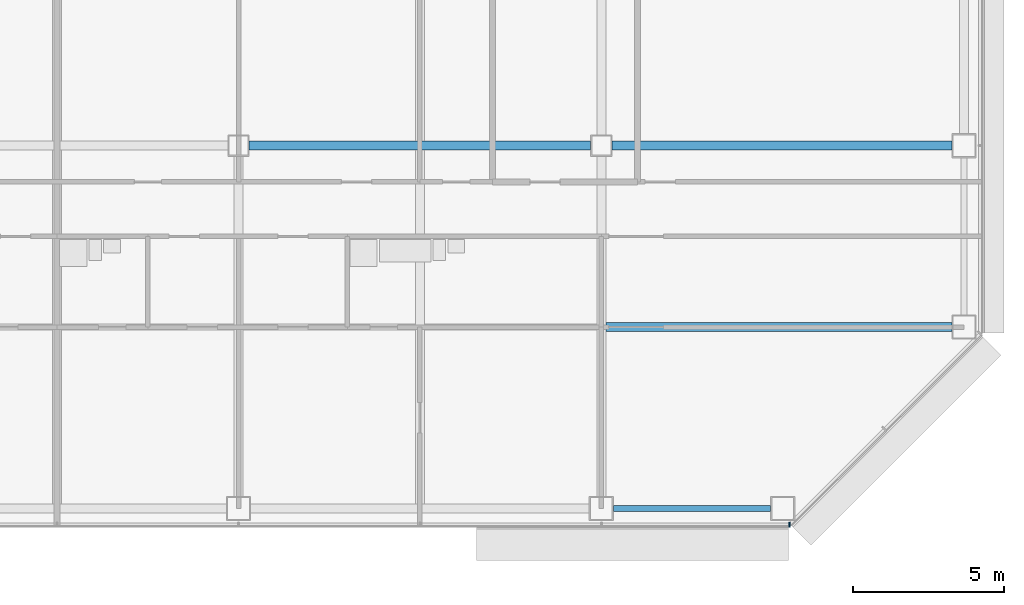
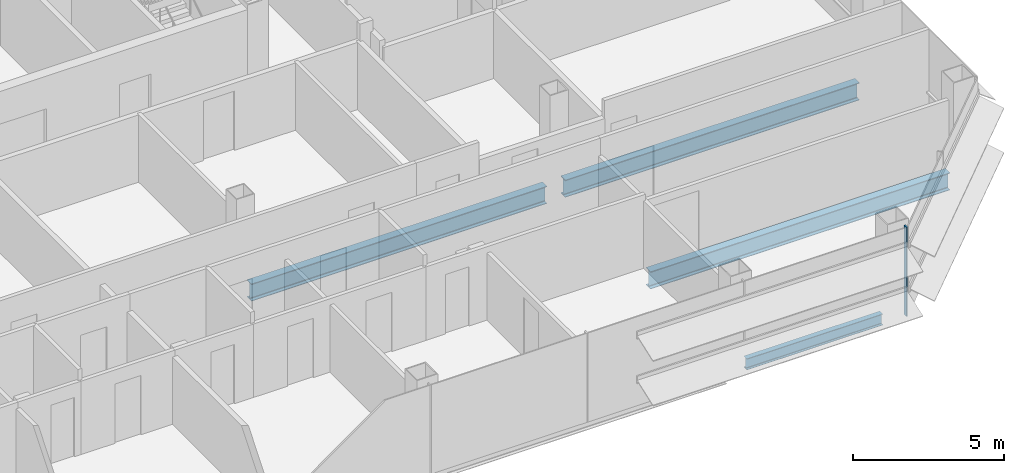
# One storey, part 9 of 25: 4 beams, 1 member, 1 element without a shape of its own.
"""IFC4 building model written with IfcOpenShell, lengths in metres."""

from ifc_helpers import new_model, si_unit, direction, frame, origin, origin_2d, place, context, subcontext, project, spatial, rectangle, i_section, extrude, material, material_profile, profile_set, type_object, element, aggregate, save


model = new_model("IFC4")

# Units and contexts
model_context = context("Model", 3, precision=1e-05, world=origin(), true_north=direction((0.0, 1.0)))
body_context = subcontext(model_context, "Body", "Model", "MODEL_VIEW")
ifc_project = project(units=[si_unit("LENGTHUNIT", "METRE"), si_unit("AREAUNIT", "SQUARE_METRE"), si_unit("VOLUMEUNIT", "CUBIC_METRE"), si_unit("PLANEANGLEUNIT", "RADIAN"), si_unit("MASSUNIT", "GRAM", prefix="KILO")], contexts=[model_context])

# Site, building, storey
site_placement = place(None, origin())
site = spatial("IfcSite", under=ifc_project, at=site_placement, CompositionType="ELEMENT")
building_placement = place(site_placement, origin())
building = spatial("IfcBuilding", under=site, at=building_placement, Name="Sorahane Residences", CompositionType="ELEMENT")
storey_placement = place(building_placement, frame((0.0, 0.0, 107.0)))
storey = spatial("IfcBuildingStorey", under=building, at=storey_placement, Name="L23", CompositionType="ELEMENT", Elevation=107.0)

# Curtain wall, member
ifc_material_1 = material(Name="Dark low-e glass and black anodised aluminium", Category="aluminium")
curtain_wall_type = type_object("IfcCurtainWallType", Name="Curtain wall CW-1 Typical unitised wall", PredefinedType="NOTDEFINED", material=ifc_material_1)
curtain_wall_placement = place(storey_placement, origin())
curtain_wall = element("IfcCurtainWall", 1, at=curtain_wall_placement, inside=storey, type_object=curtain_wall_type, Name="CW-1 curtain wall L23 S1", PredefinedType="NOTDEFINED")
ifc_material_2 = material(Name="Black anodised aluminium", Category="aluminium")
ifc_material_profile_1 = material_profile(ifc_material_2, rectangle(XDim=0.159912109375, YDim=0.050048828125, at=origin_2d()), Name="Curtain wall mullion CW-1 black anodised aluminium 50x160")
ifc_profile_set_1 = profile_set([ifc_material_profile_1], Name="Black anodised aluminium")
member_type = type_object("IfcMemberType", Name="Curtain wall mullion CW-1 black anodised aluminium 50x160", PredefinedType="MULLION", material=ifc_profile_set_1)
member_placement = place(storey_placement, frame((54.2236328125, -0.5400390625, -0.179931640625), z_axis=(0.0, 0.0, 1.0), x_axis=(0.0, -1.0, 0.0)))
member = element("IfcMember", 2, at=member_placement, type_object=member_type, Name="CW-1 mullion L23 S1.10", PredefinedType="MULLION", context=body_context, shape_type="SweptSolid", body=[
    extrude(rectangle(XDim=0.159912109375, YDim=0.050048828125, at=origin_2d()), origin(), (0.0, 0.0, 1.0), 3.599853515625),
])
aggregate(curtain_wall, [member])

# Beams
ifc_material_3 = material(Name="Steel Q355B", Category="steel")
ifc_material_profile_2 = material_profile(ifc_material_3, i_section(OverallWidth=0.199951171875, OverallDepth=0.449951171875, WebThickness=0.009033203125, FlangeThickness=0.013916015625, FilletRadius=0.02001953125, at=origin_2d()), Name="HN 450x200x9x14")
ifc_profile_set_2 = profile_set([ifc_material_profile_2], Name="Steel Q355B")
beam_type_1 = type_object("IfcBeamType", Name="Steel floor beam HN 450x200x9x14 Q355B", PredefinedType="BEAM", material=ifc_profile_set_2)
beam_1_placement = place(storey_placement, frame((48.39990234375, 0.0, -0.405029296875), z_axis=(1.0, 0.0, 0.0), x_axis=(0.0, 1.0, 0.0)))
element("IfcBeam", 3, at=beam_1_placement, inside=storey, type_object=beam_type_1, Name="Beam L23 004", PredefinedType="BEAM", context=body_context, shape_type="SweptSolid", body=[
    extrude(i_section(OverallWidth=0.199951171875, OverallDepth=0.449951171875, WebThickness=0.009033203125, FlangeThickness=0.013916015625, FilletRadius=0.02001953125, at=origin_2d()), origin(), (0.0, 0.0, 1.0), 5.2001953125),
])
ifc_material_4 = material(Name="Steel Q355B", Category="steel")
ifc_material_profile_3 = material_profile(ifc_material_4, i_section(OverallWidth=0.300048828125, OverallDepth=0.699951171875, WebThickness=0.012939453125, FlangeThickness=0.02392578125, FilletRadius=0.028076171875, at=origin_2d()), Name="HN 700x300x13x24")
ifc_profile_set_3 = profile_set([ifc_material_profile_3], Name="Steel Q355B")
beam_type_2 = type_object("IfcBeamType", Name="Steel floor beam HN 700x300x13x24 Q355B", PredefinedType="BEAM", material=ifc_profile_set_3)
beam_2_placement = place(storey_placement, frame((36.35009765625, 12.0, -0.530029296875), z_axis=(1.0, 0.0, 0.0), x_axis=(0.0, 1.0, 0.0)))
element("IfcBeam", 4, at=beam_2_placement, inside=storey, type_object=beam_type_2, Name="Beam L23 009", PredefinedType="BEAM", context=body_context, shape_type="SweptSolid", body=[
    extrude(i_section(OverallWidth=0.300048828125, OverallDepth=0.699951171875, WebThickness=0.012939453125, FlangeThickness=0.02392578125, FilletRadius=0.028076171875, at=origin_2d()), origin(), (0.0, 0.0, 1.0), 11.2998046875),
])
beam_3_placement = place(storey_placement, frame((48.35009765625, 12.0, -0.530029296875), z_axis=(1.0, 0.0, 0.0), x_axis=(0.0, 1.0, 0.0)))
element("IfcBeam", 5, at=beam_3_placement, inside=storey, type_object=beam_type_2, Name="Beam L23 010", PredefinedType="BEAM", context=body_context, shape_type="SweptSolid", body=[
    extrude(i_section(OverallWidth=0.300048828125, OverallDepth=0.699951171875, WebThickness=0.012939453125, FlangeThickness=0.02392578125, FilletRadius=0.028076171875, at=origin_2d()), origin(), (0.0, 0.0, 1.0), 11.25),
])
beam_4_placement = place(storey_placement, frame((48.14990234375, 6.0, -0.530029296875), z_axis=(1.0, 0.0, 0.0), x_axis=(0.0, 1.0, 0.0)))
element("IfcBeam", 6, at=beam_4_placement, inside=storey, type_object=beam_type_2, Name="Beam L23 077", PredefinedType="BEAM", context=body_context, shape_type="SweptSolid", body=[
    extrude(i_section(OverallWidth=0.300048828125, OverallDepth=0.699951171875, WebThickness=0.012939453125, FlangeThickness=0.02392578125, FilletRadius=0.028076171875, at=origin_2d()), origin(), (0.0, 0.0, 1.0), 11.4501953125),
])

save(model, "model.ifc")
